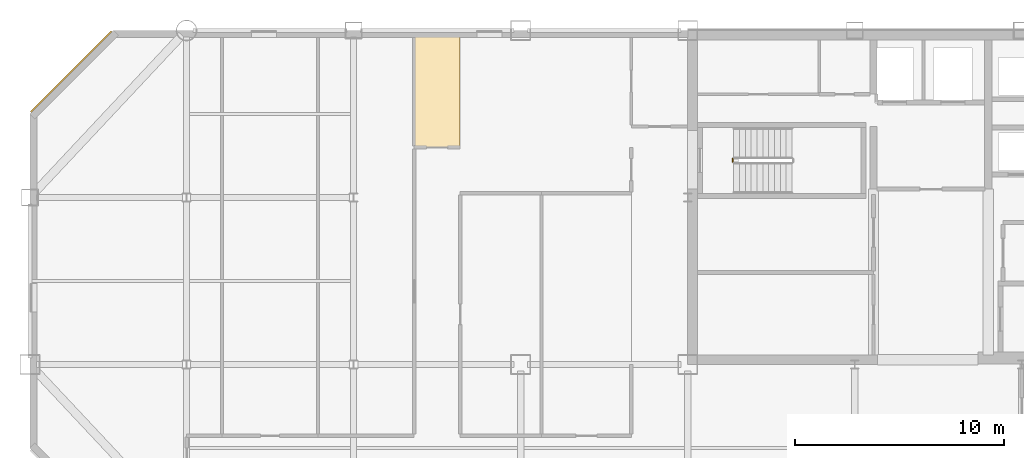
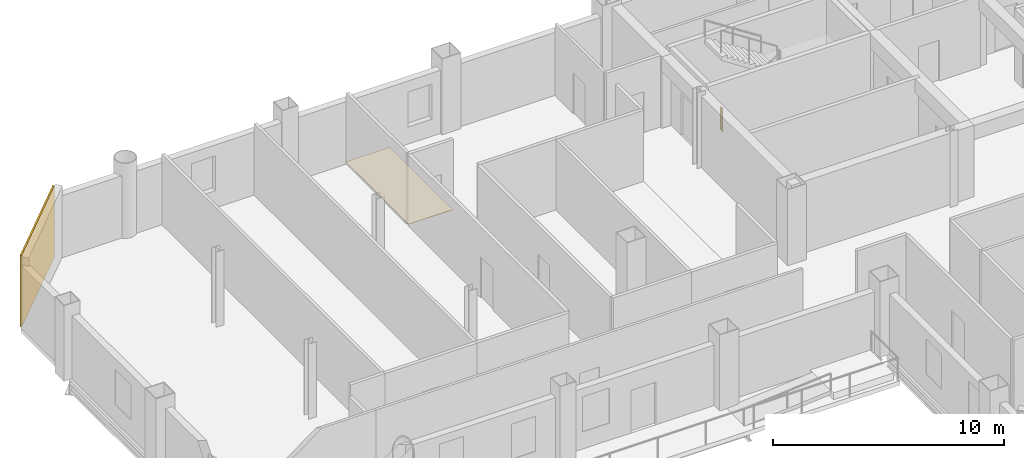
# One storey, part 10 of 11: 2 coverings, 1 railing.
"""IFC4 building model written with IfcOpenShell, lengths in metres."""

from ifc_helpers import new_model, si_unit, direction, frame, origin, origin_2d, place, context, subcontext, project, spatial, polyline, rectangle, circle, outline, extrude, material, layer, layer_set, type_object, element, save


model = new_model("IFC4")

# Units and contexts
model_context = context("Model", 3, precision=1e-05, world=origin(), true_north=direction((0.0, 1.0)))
body_context = subcontext(model_context, "Body", "Model", "MODEL_VIEW")
ifc_project = project(units=[si_unit("LENGTHUNIT", "METRE"), si_unit("AREAUNIT", "SQUARE_METRE"), si_unit("VOLUMEUNIT", "CUBIC_METRE"), si_unit("PLANEANGLEUNIT", "RADIAN"), si_unit("MASSUNIT", "GRAM", prefix="KILO")], contexts=[model_context])

# Site, building, storey
site_placement = place(None, origin())
site = spatial("IfcSite", under=ifc_project, at=site_placement, CompositionType="ELEMENT")
building_placement = place(site_placement, origin())
building = spatial("IfcBuilding", under=site, at=building_placement, Name="Qianrong Seaharbour Tower", CompositionType="ELEMENT")
storey_placement = place(building_placement, frame((0.0, 0.0, 273.800048828125)))
storey = spatial("IfcBuildingStorey", under=building, at=storey_placement, Name="L66", CompositionType="ELEMENT", Elevation=273.800048828125)

# Coverings
ifc_material_1 = material(Name="Unitised red brick cladding on Precast concrete C45/55", Category="masonry")
ifc_layer_1 = layer(ifc_material_1, 0.080078125)
ifc_layer_set_1 = layer_set([ifc_layer_1], Name="Unitised red brick cladding on Precast concrete C45/55")
covering_type_1 = type_object("IfcCoveringType", Name="COV-CLAD-RED-BRICK-80", PredefinedType="CLADDING", material=ifc_layer_set_1)
covering_1_placement = place(storey_placement, frame((10.9716796875, 50.0283203125, 0.0), z_axis=(0.0, 0.0, 1.0), x_axis=(0.707106781187, 0.707106781187, 0.0)))
element("IfcCovering", 1, at=covering_1_placement, inside=storey, type_object=covering_type_1, Name="L66 Chamfer Corner Brick Cladding 04", PredefinedType="CLADDING", context=body_context, shape_type="SweptSolid", body=[
    extrude(rectangle(XDim=5.456787109375, YDim=0.080078125, at=origin_2d()), origin(), (0.0, 0.0, 1.0), 3.77490234375),
])
ifc_material_2 = material(Name="Acoustic modular carpet tile flooring")
ifc_layer_2 = layer(ifc_material_2, 0.02001953125)
ifc_layer_set_2 = layer_set([ifc_layer_2], Name="Acoustic modular carpet tile flooring")
covering_type_2 = type_object("IfcCoveringType", Name="COV-FLOOR-CARPET-20", PredefinedType="FLOORING", material=ifc_layer_set_2)
covering_2_placement = place(storey_placement, origin())
element("IfcCovering", 2, at=covering_2_placement, inside=storey, type_object=covering_type_2, Name="L66 Maritime Tribunal Hearing Hall Finish Flooring", PredefinedType="FLOORING", context=body_context, shape_type="SweptSolid", body=[
    extrude(outline(polyline([(29.60009765625, 46.39990234375), (27.39990234375, 46.39990234375), (27.39990234375, 51.8349609375), (29.60009765625, 51.8349609375), (29.60009765625, 46.39990234375)])), origin(), (0.0, 0.0, 1.0), 0.02001953125),
])

# Railing
ifc_material_3 = material(Name="Galvanized painted steel SN400B stair guard", Category="steel")
railing_type = type_object("IfcRailingType", Name="RAIL-STAIR-GUARD-1220", PredefinedType="GUARDRAIL", material=ifc_material_3)
railing_placement = place(storey_placement, frame((42.64990234375, 45.699951171875, 0.0)))
element("IfcRailing", 3, at=railing_placement, inside=storey, type_object=railing_type, Name="L66 ST-1 stair guard 4", PredefinedType="GUARDRAIL", context=body_context, shape_type="SweptSolid", body=[
    extrude(circle(Radius=0.02392578125, at=origin_2d()), frame((0.0, 0.0, 1.19580078125), z_axis=(0.0, 1.0, 0.0), x_axis=(-1.0, 0.0, 0.0)), (0.0, 0.0, 1.0), 0.150146484375),
    extrude(circle(Radius=0.02099609375, at=origin_2d()), origin(), (0.0, 0.0, 1.0), 1.171875),
    extrude(circle(Radius=0.02099609375, at=origin_2d()), frame((0.0, 0.150146484375, 0.0)), (0.0, 0.0, 1.0), 1.171875),
])

save(model, "model.ifc")
